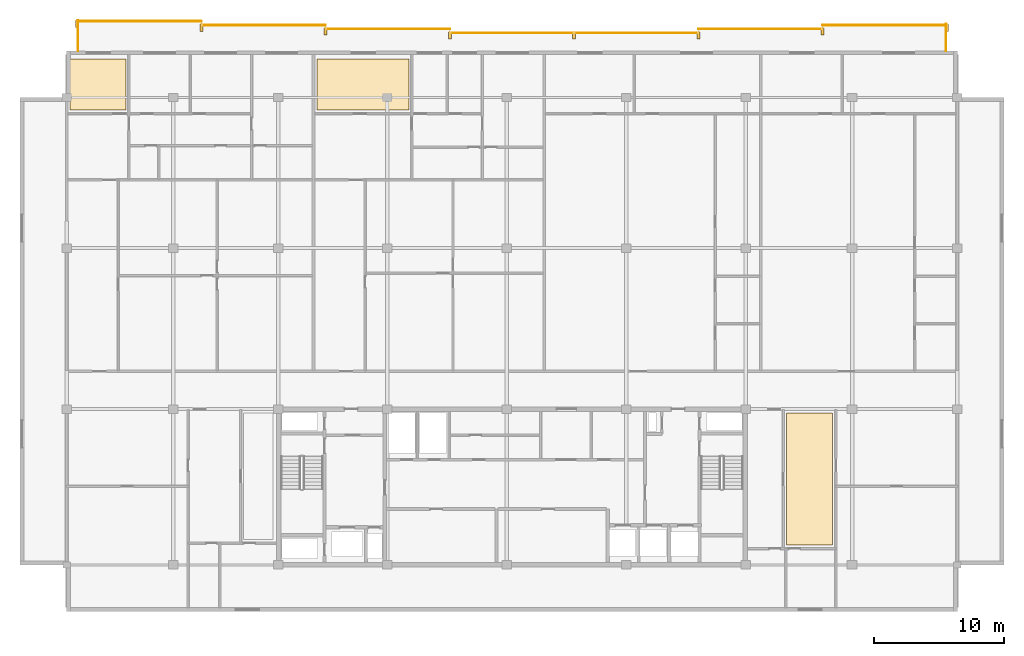
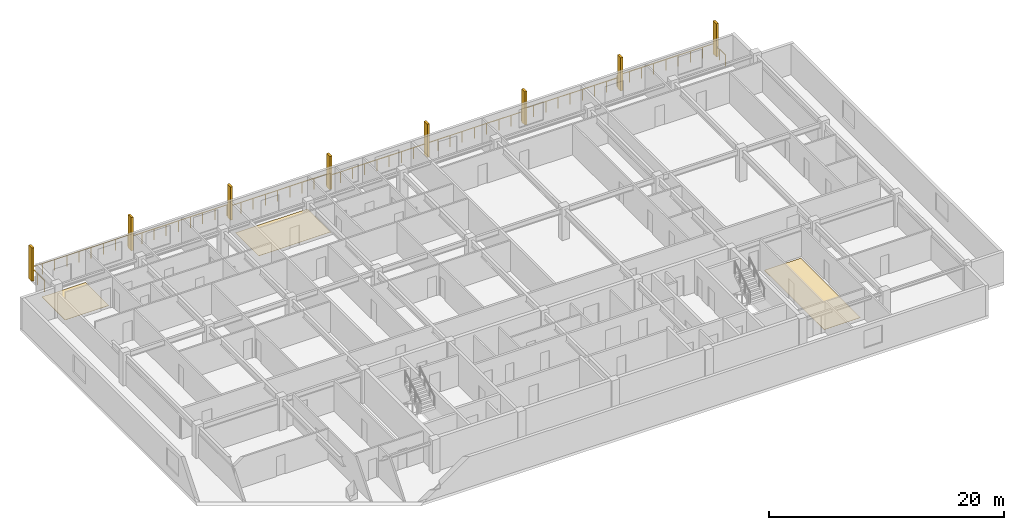
# One storey, part 11 of 11: 8 railings, 8 shading devices, 3 coverings.
"""IFC4 building model written with IfcOpenShell, lengths in metres."""

import ifcopenshell
import ifcopenshell.guid

model = None  # the IFC model being written
_history = None  # IfcOwnerHistory: only IFC2X3 demands one
_inside = {}  # id of a spatial element -> (the spatial element, [elements in it])
_under = {}  # id of a project, library or spatial element -> (it, [spatial elements below it])
_declared = {}  # id of a project -> (the project, [libraries it declares])
_typed = {}  # id of a type object -> (the type object, [elements of that type])
_made_of = {}  # id of a material, layer set ... -> (it, [elements and type objects made of it])


def new_model(schema):
    """Start an empty IFC model of exactly this schema.

    Asked for "IFC4X3", IfcOpenShell would pick the latest addendum, in which some entities
    have other attributes; the version numbers below select the first issue.
    IFC2X3 requires an IfcOwnerHistory on every rooted entity: one is made here for all.
    """
    global model, _history
    if schema == "IFC4X3":
        model = ifcopenshell.file(schema_version=(4, 3, 0, 0))
    else:
        model = ifcopenshell.file(schema=schema)
    _inside.clear()
    _under.clear()
    _declared.clear()
    _typed.clear()
    _made_of.clear()
    _history = None
    if model.schema == "IFC2X3":
        org = make("IfcOrganization", Name="unknown")
        user = make(
            "IfcPersonAndOrganization",
            ThePerson=make("IfcPerson", FamilyName="unknown"),
            TheOrganization=org,
        )
        app = make(
            "IfcApplication",
            ApplicationDeveloper=org,
            Version="unknown",
            ApplicationFullName="unknown",
            ApplicationIdentifier="unknown",
        )
        _history = make(
            "IfcOwnerHistory",
            OwningUser=user,
            OwningApplication=app,
            ChangeAction="ADDED",
            CreationDate=0,
        )
    return model


def make(cls, **values):
    """One entity of the class cls with the attributes given. An attribute that is None is left unset."""
    return model.create_entity(
        cls, **{name: value for name, value in values.items() if value is not None}
    )


def rooted(cls, **values):
    """An entity with a GlobalId (a new one), such as an element, a storey or a relation."""
    return make(cls, GlobalId=ifcopenshell.guid.new(), OwnerHistory=_history, **values)


def si_unit(unit_type, name, prefix=None):
    """IfcSIUnit, for example si_unit("LENGTHUNIT", "METRE", prefix="MILLI")."""
    return make("IfcSIUnit", UnitType=unit_type, Prefix=prefix, Name=name)


def assignment(units):
    """IfcUnitAssignment: the units of a project."""
    return None if units is None else make("IfcUnitAssignment", Units=units)


def point(xyz):
    """IfcCartesianPoint."""
    return None if xyz is None else make("IfcCartesianPoint", Coordinates=xyz)


def direction(xyz):
    """IfcDirection."""
    return None if xyz is None else make("IfcDirection", DirectionRatios=xyz)


def frame(location, z_axis=None, x_axis=None):
    """IfcAxis2Placement3D, a coordinate frame: its origin and axes. An axis left out is left unset."""
    return make(
        "IfcAxis2Placement3D",
        Location=point(location),
        Axis=direction(z_axis),
        RefDirection=direction(x_axis),
    )


def frame_2d(location, x_axis=None):
    """IfcAxis2Placement2D, a coordinate frame in the plane: its origin and x axis."""
    return make(
        "IfcAxis2Placement2D", Location=point(location), RefDirection=direction(x_axis)
    )


def origin():
    """The frame at (0, 0, 0) with its axes left unset."""
    return frame((0.0, 0.0, 0.0))


def origin_2d():
    """The frame at (0, 0) in the plane with its x axis left unset."""
    return frame_2d((0.0, 0.0))


def place(relative_to, where):
    """IfcLocalPlacement: puts the frame where relative to a parent placement (None: the world)."""
    return make(
        "IfcLocalPlacement", PlacementRelTo=relative_to, RelativePlacement=where
    )


def context(
    kind, dimensions, precision=None, world=None, true_north=None, identifier=None
):
    """IfcGeometricRepresentationContext, for example the 3D "Model" context."""
    return make(
        "IfcGeometricRepresentationContext",
        ContextIdentifier=identifier,
        ContextType=kind,
        CoordinateSpaceDimension=dimensions,
        Precision=precision,
        WorldCoordinateSystem=world,
        TrueNorth=true_north,
    )


def subcontext(parent, identifier, kind, view, scale=None):
    """IfcGeometricRepresentationSubContext, for example "Body" below "Model"."""
    return make(
        "IfcGeometricRepresentationSubContext",
        ContextIdentifier=identifier,
        ContextType=kind,
        ParentContext=parent,
        TargetScale=scale,
        TargetView=view,
    )


def project(units=None, contexts=None):
    """IfcProject with its units and contexts."""
    return rooted(
        "IfcProject",
        Name="project",
        RepresentationContexts=contexts,
        UnitsInContext=assignment(units),
    )


def spatial(cls, under=None, at=None, **own):
    """A site, building, storey or space (cls), placed at a placement, below another one or the project."""
    s = rooted(cls, ObjectPlacement=at, **own)
    if under is not None:
        _under.setdefault(under.id(), (under, []))[1].append(s)
    return s


def polyline(points):
    """IfcPolyline through the points."""
    return make("IfcPolyline", Points=[point(p) for p in points])


def profile(cls, at=None, kind="AREA", **sizes):
    """A parametric profile (cls). Its sizes go by their IFC names, for example OverallWidth=200.0."""
    return make(cls, ProfileType=kind, Position=at, **sizes)


def rectangle(**sizes):
    """IfcRectangleProfileDef."""
    return profile("IfcRectangleProfileDef", **sizes)


def circle(**sizes):
    """IfcCircleProfileDef."""
    return profile("IfcCircleProfileDef", **sizes)


def outline(outer, holes=None, kind="AREA"):
    """IfcArbitraryClosedProfileDef: a profile drawn as a closed curve; with holes, ...WithVoids."""
    if holes is None:
        return make("IfcArbitraryClosedProfileDef", ProfileType=kind, OuterCurve=outer)
    return make(
        "IfcArbitraryProfileDefWithVoids",
        ProfileType=kind,
        OuterCurve=outer,
        InnerCurves=holes,
    )


def extrude(swept, where, along, depth):
    """IfcExtrudedAreaSolid: the profile swept, set in the frame where, extruded along a direction by depth."""
    return make(
        "IfcExtrudedAreaSolid",
        SweptArea=swept,
        Position=where,
        ExtrudedDirection=direction(along),
        Depth=depth,
    )


def shape(context_of_items, identifier, shape_type, items):
    """IfcShapeRepresentation: the items that make up one representation, for example the "Body"."""
    return make(
        "IfcShapeRepresentation",
        ContextOfItems=context_of_items,
        RepresentationIdentifier=identifier,
        RepresentationType=shape_type,
        Items=items,
    )


def material(Name=None, Category=None):
    """IfcMaterial."""
    return make("IfcMaterial", Name=Name, Category=Category)


def layer(
    of_material, thickness, ventilated=None, Name=None, Category=None, Priority=None
):
    """IfcMaterialLayer: one layer of a wall or slab, of a material (None: an air gap)."""
    return make(
        "IfcMaterialLayer",
        Material=of_material,
        LayerThickness=thickness,
        IsVentilated=ventilated,
        Name=Name,
        Category=Category,
        Priority=Priority,
    )


def layer_set(layers, Name=None):
    """IfcMaterialLayerSet."""
    return make("IfcMaterialLayerSet", MaterialLayers=layers, LayerSetName=Name)


def made_of(thing, what):
    """Note that an element or type object is made of a material, layer set ...; save() writes the relation."""
    if what is not None:
        _made_of.setdefault(what.id(), (what, []))[1].append(thing)
    return thing


def type_object(cls, material=None, **own):
    """A type object (cls), such as IfcWallType, which elements share."""
    return made_of(rooted(cls, **own), material)


def element(
    cls,
    number,
    at=None,
    inside=None,
    cuts=None,
    type_object=None,
    material=None,
    context=None,
    identifier="Body",
    shape_type=None,
    held_by="IfcProductDefinitionShape",
    body=None,
    shapes=None,
    **own,
):
    """One element of the class cls, such as IfcWall. Its Tag is "e" and its number.

    at: its placement. inside: the storey or other place that contains it. cuts: it is an
    opening in that element (IfcRelVoidsElement). A single representation is given by context,
    identifier, shape_type and body (its items); several are given by shapes. held_by: the class
    of the entity that holds the representations. save() writes the other relations.
    """
    e = rooted(cls, Tag="e%d" % number, ObjectPlacement=at, **own)
    if body is not None:
        shapes = [shape(context, identifier, shape_type, body)]
    if shapes is not None:
        e.Representation = make(held_by, Representations=shapes)
    if inside is not None:
        _inside.setdefault(inside.id(), (inside, []))[1].append(e)
    if cuts is not None:
        rooted(
            "IfcRelVoidsElement", RelatingBuildingElement=cuts, RelatedOpeningElement=e
        )
    if type_object is not None:
        _typed.setdefault(type_object.id(), (type_object, []))[1].append(e)
    return made_of(e, material)


def aggregate(whole, parts):
    """IfcRelAggregates: a whole, such as a stair, and the parts it consists of."""
    return rooted("IfcRelAggregates", RelatingObject=whole, RelatedObjects=parts)


def save(model, path):
    """Write the relations noted so far, then the file.

    IfcRelAggregates (storeys below a building ...), IfcRelContainedInSpatialStructure (elements
    in a storey), IfcRelDefinesByType, IfcRelAssociatesMaterial and IfcRelDeclares: one each for
    every whole, place, type object, material and project.
    """
    for whole, parts in _under.values():
        aggregate(whole, parts)
    for where, things in _inside.values():
        rooted(
            "IfcRelContainedInSpatialStructure",
            RelatedElements=things,
            RelatingStructure=where,
        )
    for kind, things in _typed.values():
        rooted("IfcRelDefinesByType", RelatedObjects=things, RelatingType=kind)
    for what, things in _made_of.values():
        rooted("IfcRelAssociatesMaterial", RelatedObjects=things, RelatingMaterial=what)
    for by, libraries in _declared.values():
        rooted("IfcRelDeclares", RelatingContext=by, RelatedDefinitions=libraries)
    model.write(path)


model = new_model("IFC4")

# Units and contexts
model_context = context("Model", 3, precision=1e-05, world=origin(), true_north=direction((0.0, 1.0)))
body_context = subcontext(model_context, "Body", "Model", "MODEL_VIEW")
ifc_project = project(units=[si_unit("LENGTHUNIT", "METRE"), si_unit("AREAUNIT", "SQUARE_METRE"), si_unit("VOLUMEUNIT", "CUBIC_METRE"), si_unit("PLANEANGLEUNIT", "RADIAN"), si_unit("MASSUNIT", "GRAM", prefix="KILO")], contexts=[model_context])

# Site, building, storey
site_placement = place(None, origin())
site = spatial("IfcSite", under=ifc_project, at=site_placement, CompositionType="ELEMENT")
building_placement = place(site_placement, origin())
building = spatial("IfcBuilding", under=site, at=building_placement, Name="Korimba Cascade Residences", CompositionType="ELEMENT")
storey_placement = place(building_placement, frame((0.0, 0.0, 256.25)))
storey = spatial("IfcBuildingStorey", under=building, at=storey_placement, Name="L74", CompositionType="ELEMENT", Elevation=256.25)

# Coverings
ifc_material_1 = material(Name="Engineered Spotted-Gum Timber Flooring", Category="wood")
ifc_layer = layer(ifc_material_1, 0.02001953125)
ifc_layer_set = layer_set([ifc_layer], Name="Engineered Spotted-Gum Timber Flooring")
covering_type = type_object("IfcCoveringType", Name="COV-FLR-TIM", PredefinedType="FLOORING", material=ifc_layer_set)
covering_1_placement = place(storey_placement, origin())
element("IfcCovering", 1, at=covering_1_placement, inside=storey, type_object=covering_type, Name="L74 Spotted-Gum Timber Flooring L74-T1-FE-L", PredefinedType="FLOORING", context=body_context, shape_type="SweptSolid", body=[
    extrude(outline(polyline([(115.22998046875, 56.719970703125), (118.800048828125, 56.719970703125), (118.800048828125, 66.89990234375), (115.22998046875, 66.89990234375), (115.22998046875, 56.719970703125)])), origin(), (0.0, 0.0, 1.0), 0.02001953125),
])
covering_2_placement = place(storey_placement, origin())
element("IfcCovering", 2, at=covering_2_placement, inside=storey, type_object=covering_type, Name="L74 Spotted-Gum Timber Flooring L74-T1-U01-L", PredefinedType="FLOORING", context=body_context, shape_type="SweptSolid", body=[
    extrude(outline(polyline([(60.070068359375, 90.219970703125), (64.360107421875, 90.219970703125), (64.360107421875, 94.179931640625), (60.070068359375, 94.179931640625), (60.070068359375, 90.219970703125)])), origin(), (0.0, 0.0, 1.0), 0.02001953125),
])
covering_3_placement = place(storey_placement, origin())
element("IfcCovering", 3, at=covering_3_placement, inside=storey, type_object=covering_type, Name="L74 Spotted-Gum Timber Flooring L74-T1-U02-L", PredefinedType="FLOORING", context=body_context, shape_type="SweptSolid", body=[
    extrude(outline(polyline([(79.0791015625, 90.219970703125), (86.14990234375, 90.219970703125), (86.14990234375, 94.179931640625), (79.0791015625, 94.179931640625), (79.0791015625, 90.219970703125)])), origin(), (0.0, 0.0, 1.0), 0.02001953125),
])

# Railings
ifc_material_2 = material(Name="Laminated Glass and Bronze Balustrade", Category="glass")
railing_type = type_object("IfcRailingType", Name="RLG-LOG-1150", PredefinedType="BALUSTRADE", material=ifc_material_2)
railing_1_placement = place(storey_placement, frame((127.52001953125, 94.800048828125, 0.0)))
element("IfcRailing", 4, at=railing_1_placement, inside=storey, type_object=railing_type, Name="L74 Perimeter Guardrail RLG-L74-T1-LOG-01", PredefinedType="BALUSTRADE", context=body_context, shape_type="SweptSolid", body=[
    extrude(circle(Radius=0.02392578125, at=origin_2d()), frame((0.0, 0.0, 1.1259765625), z_axis=(0.0, 1.0, 0.0), x_axis=(-1.0, 0.0, 0.0)), (0.0, 0.0, 1.0), 2.050048828125),
    extrude(circle(Radius=0.02099609375, at=origin_2d()), origin(), (0.0, 0.0, 1.0), 1.101806640625),
    extrude(circle(Radius=0.02099609375, at=origin_2d()), frame((0.0, 1.02490234375, 0.0)), (0.0, 0.0, 1.0), 1.101806640625),
    extrude(circle(Radius=0.02099609375, at=origin_2d()), frame((0.0, 2.050048828125, 0.0)), (0.0, 0.0, 1.0), 1.101806640625),
])
for number, where, name in (
    (5, (127.60009765625, 96.77001953125, 0.0), "L74 Perimeter Guardrail RLG-L74-T1-LOG-02"),
    (6, (118.028564453125, 96.469970703125, 0.0), "L74 Perimeter Guardrail RLG-L74-T1-LOG-03"),
):
    element("IfcRailing", number, at=place(storey_placement, frame(where)), inside=storey, type_object=railing_type, Name=name, PredefinedType="BALUSTRADE", context=body_context, shape_type="SweptSolid", body=[
        extrude(circle(Radius=0.02392578125, at=origin_2d()), frame((0.0, 0.0, 1.1259765625), z_axis=(-1.0, 0.0, 0.0), x_axis=(0.0, -1.0, 0.0)), (0.0, 0.0, 1.0), 9.571533203125),
        extrude(circle(Radius=0.02099609375, at=origin_2d()), origin(), (0.0, 0.0, 1.0), 1.101806640625),
        extrude(circle(Radius=0.02099609375, at=origin_2d()), frame((-1.196533203125, 0.0, 0.0)), (0.0, 0.0, 1.0), 1.101806640625),
        extrude(circle(Radius=0.02099609375, at=origin_2d()), frame((-2.392822265625, 0.0, 0.0)), (0.0, 0.0, 1.0), 1.101806640625),
        extrude(circle(Radius=0.02099609375, at=origin_2d()), frame((-3.58935546875, 0.0, 0.0)), (0.0, 0.0, 1.0), 1.101806640625),
        extrude(circle(Radius=0.02099609375, at=origin_2d()), frame((-4.78564453125, 0.0, 0.0)), (0.0, 0.0, 1.0), 1.101806640625),
        extrude(circle(Radius=0.02099609375, at=origin_2d()), frame((-5.982177734375, 0.0, 0.0)), (0.0, 0.0, 1.0), 1.101806640625),
        extrude(circle(Radius=0.02099609375, at=origin_2d()), frame((-7.1787109375, 0.0, 0.0)), (0.0, 0.0, 1.0), 1.101806640625),
        extrude(circle(Radius=0.02099609375, at=origin_2d()), frame((-8.375, 0.0, 0.0)), (0.0, 0.0, 1.0), 1.101806640625),
        extrude(circle(Radius=0.02099609375, at=origin_2d()), frame((-9.571533203125, 0.0, 0.0)), (0.0, 0.0, 1.0), 1.101806640625),
    ])
railing_2_placement = place(storey_placement, frame((108.45703125, 96.169921875, 0.0)))
element("IfcRailing", 7, at=railing_2_placement, inside=storey, type_object=railing_type, Name="L74 Perimeter Guardrail RLG-L74-T1-LOG-04", PredefinedType="BALUSTRADE", context=body_context, shape_type="SweptSolid", body=[
    extrude(circle(Radius=0.02392578125, at=origin_2d()), frame((0.0, 0.0, 1.1259765625), z_axis=(-1.0, 0.0, 0.0), x_axis=(0.0, -1.0, 0.0)), (0.0, 0.0, 1.0), 19.142822265625),
    extrude(circle(Radius=0.02099609375, at=origin_2d()), origin(), (0.0, 0.0, 1.0), 1.101806640625),
    extrude(circle(Radius=0.02099609375, at=origin_2d()), frame((-1.196533203125, 0.0, 0.0)), (0.0, 0.0, 1.0), 1.101806640625),
    extrude(circle(Radius=0.02099609375, at=origin_2d()), frame((-2.392822265625, 0.0, 0.0)), (0.0, 0.0, 1.0), 1.101806640625),
    extrude(circle(Radius=0.02099609375, at=origin_2d()), frame((-3.58935546875, 0.0, 0.0)), (0.0, 0.0, 1.0), 1.101806640625),
    extrude(circle(Radius=0.02099609375, at=origin_2d()), frame((-4.78564453125, 0.0, 0.0)), (0.0, 0.0, 1.0), 1.101806640625),
    extrude(circle(Radius=0.02099609375, at=origin_2d()), frame((-5.982177734375, 0.0, 0.0)), (0.0, 0.0, 1.0), 1.101806640625),
    extrude(circle(Radius=0.02099609375, at=origin_2d()), frame((-7.178466796875, 0.0, 0.0)), (0.0, 0.0, 1.0), 1.101806640625),
    extrude(circle(Radius=0.02099609375, at=origin_2d()), frame((-8.375, 0.0, 0.0)), (0.0, 0.0, 1.0), 1.101806640625),
    extrude(circle(Radius=0.02099609375, at=origin_2d()), frame((-9.5712890625, 0.0, 0.0)), (0.0, 0.0, 1.0), 1.101806640625),
    extrude(circle(Radius=0.02099609375, at=origin_2d()), frame((-10.767822265625, 0.0, 0.0)), (0.0, 0.0, 1.0), 1.101806640625),
    extrude(circle(Radius=0.02099609375, at=origin_2d()), frame((-11.96435546875, 0.0, 0.0)), (0.0, 0.0, 1.0), 1.101806640625),
    extrude(circle(Radius=0.02099609375, at=origin_2d()), frame((-13.16064453125, 0.0, 0.0)), (0.0, 0.0, 1.0), 1.101806640625),
    extrude(circle(Radius=0.02099609375, at=origin_2d()), frame((-14.357177734375, 0.0, 0.0)), (0.0, 0.0, 1.0), 1.101806640625),
    extrude(circle(Radius=0.02099609375, at=origin_2d()), frame((-15.553466796875, 0.0, 0.0)), (0.0, 0.0, 1.0), 1.101806640625),
    extrude(circle(Radius=0.02099609375, at=origin_2d()), frame((-16.75, 0.0, 0.0)), (0.0, 0.0, 1.0), 1.101806640625),
    extrude(circle(Radius=0.02099609375, at=origin_2d()), frame((-17.9462890625, 0.0, 0.0)), (0.0, 0.0, 1.0), 1.101806640625),
    extrude(circle(Radius=0.02099609375, at=origin_2d()), frame((-19.142822265625, 0.0, 0.0)), (0.0, 0.0, 1.0), 1.101806640625),
])
railing_3_placement = place(storey_placement, frame((89.314208984375, 96.469970703125, 0.0)))
element("IfcRailing", 8, at=railing_3_placement, inside=storey, type_object=railing_type, Name="L74 Perimeter Guardrail RLG-L74-T1-LOG-05", PredefinedType="BALUSTRADE", context=body_context, shape_type="SweptSolid", body=[
    extrude(circle(Radius=0.02392578125, at=origin_2d()), frame((0.0, 0.0, 1.1259765625), z_axis=(-1.0, 0.0, 0.0), x_axis=(0.0, -1.0, 0.0)), (0.0, 0.0, 1.0), 9.5712890625),
    extrude(circle(Radius=0.02099609375, at=origin_2d()), origin(), (0.0, 0.0, 1.0), 1.101806640625),
    extrude(circle(Radius=0.02099609375, at=origin_2d()), frame((-1.1962890625, 0.0, 0.0)), (0.0, 0.0, 1.0), 1.101806640625),
    extrude(circle(Radius=0.02099609375, at=origin_2d()), frame((-2.392822265625, 0.0, 0.0)), (0.0, 0.0, 1.0), 1.101806640625),
    extrude(circle(Radius=0.02099609375, at=origin_2d()), frame((-3.58935546875, 0.0, 0.0)), (0.0, 0.0, 1.0), 1.101806640625),
    extrude(circle(Radius=0.02099609375, at=origin_2d()), frame((-4.78564453125, 0.0, 0.0)), (0.0, 0.0, 1.0), 1.101806640625),
    extrude(circle(Radius=0.02099609375, at=origin_2d()), frame((-5.98193359375, 0.0, 0.0)), (0.0, 0.0, 1.0), 1.101806640625),
    extrude(circle(Radius=0.02099609375, at=origin_2d()), frame((-7.178466796875, 0.0, 0.0)), (0.0, 0.0, 1.0), 1.101806640625),
    extrude(circle(Radius=0.02099609375, at=origin_2d()), frame((-8.375, 0.0, 0.0)), (0.0, 0.0, 1.0), 1.101806640625),
    extrude(circle(Radius=0.02099609375, at=origin_2d()), frame((-9.5712890625, 0.0, 0.0)), (0.0, 0.0, 1.0), 1.101806640625),
])
railing_4_placement = place(storey_placement, frame((79.742919921875, 96.77001953125, 0.0)))
element("IfcRailing", 9, at=railing_4_placement, inside=storey, type_object=railing_type, Name="L74 Perimeter Guardrail RLG-L74-T1-LOG-06", PredefinedType="BALUSTRADE", context=body_context, shape_type="SweptSolid", body=[
    extrude(circle(Radius=0.02392578125, at=origin_2d()), frame((0.0, 0.0, 1.1259765625), z_axis=(-1.0, 0.0, 0.0), x_axis=(0.0, -1.0, 0.0)), (0.0, 0.0, 1.0), 9.571533203125),
    extrude(circle(Radius=0.02099609375, at=origin_2d()), origin(), (0.0, 0.0, 1.0), 1.101806640625),
    extrude(circle(Radius=0.02099609375, at=origin_2d()), frame((-1.196533203125, 0.0, 0.0)), (0.0, 0.0, 1.0), 1.101806640625),
    extrude(circle(Radius=0.02099609375, at=origin_2d()), frame((-2.392822265625, 0.0, 0.0)), (0.0, 0.0, 1.0), 1.101806640625),
    extrude(circle(Radius=0.02099609375, at=origin_2d()), frame((-3.58935546875, 0.0, 0.0)), (0.0, 0.0, 1.0), 1.101806640625),
    extrude(circle(Radius=0.02099609375, at=origin_2d()), frame((-4.78564453125, 0.0, 0.0)), (0.0, 0.0, 1.0), 1.101806640625),
    extrude(circle(Radius=0.02099609375, at=origin_2d()), frame((-5.982177734375, 0.0, 0.0)), (0.0, 0.0, 1.0), 1.101806640625),
    extrude(circle(Radius=0.02099609375, at=origin_2d()), frame((-7.1787109375, 0.0, 0.0)), (0.0, 0.0, 1.0), 1.101806640625),
    extrude(circle(Radius=0.02099609375, at=origin_2d()), frame((-8.375, 0.0, 0.0)), (0.0, 0.0, 1.0), 1.101806640625),
    extrude(circle(Radius=0.02099609375, at=origin_2d()), frame((-9.571533203125, 0.0, 0.0)), (0.0, 0.0, 1.0), 1.101806640625),
])
railing_5_placement = place(storey_placement, frame((70.17138671875, 97.070068359375, 0.0)))
element("IfcRailing", 10, at=railing_5_placement, inside=storey, type_object=railing_type, Name="L74 Perimeter Guardrail RLG-L74-T1-LOG-07", PredefinedType="BALUSTRADE", context=body_context, shape_type="SweptSolid", body=[
    extrude(circle(Radius=0.02392578125, at=origin_2d()), frame((0.0, 0.0, 1.1259765625), z_axis=(-1.0, 0.0, 0.0), x_axis=(0.0, -1.0, 0.0)), (0.0, 0.0, 1.0), 9.5712890625),
    extrude(circle(Radius=0.02099609375, at=origin_2d()), origin(), (0.0, 0.0, 1.0), 1.101806640625),
    extrude(circle(Radius=0.02099609375, at=origin_2d()), frame((-1.1962890625, 0.0, 0.0)), (0.0, 0.0, 1.0), 1.101806640625),
    extrude(circle(Radius=0.02099609375, at=origin_2d()), frame((-2.392822265625, 0.0, 0.0)), (0.0, 0.0, 1.0), 1.101806640625),
    extrude(circle(Radius=0.02099609375, at=origin_2d()), frame((-3.58935546875, 0.0, 0.0)), (0.0, 0.0, 1.0), 1.101806640625),
    extrude(circle(Radius=0.02099609375, at=origin_2d()), frame((-4.78564453125, 0.0, 0.0)), (0.0, 0.0, 1.0), 1.101806640625),
    extrude(circle(Radius=0.02099609375, at=origin_2d()), frame((-5.98193359375, 0.0, 0.0)), (0.0, 0.0, 1.0), 1.101806640625),
    extrude(circle(Radius=0.02099609375, at=origin_2d()), frame((-7.178466796875, 0.0, 0.0)), (0.0, 0.0, 1.0), 1.101806640625),
    extrude(circle(Radius=0.02099609375, at=origin_2d()), frame((-8.375, 0.0, 0.0)), (0.0, 0.0, 1.0), 1.101806640625),
    extrude(circle(Radius=0.02099609375, at=origin_2d()), frame((-9.5712890625, 0.0, 0.0)), (0.0, 0.0, 1.0), 1.101806640625),
])
railing_6_placement = place(storey_placement, frame((60.679931640625, 97.14990234375, 0.0)))
element("IfcRailing", 11, at=railing_6_placement, inside=storey, type_object=railing_type, Name="L74 Perimeter Guardrail RLG-L74-T1-LOG-08", PredefinedType="BALUSTRADE", context=body_context, shape_type="SweptSolid", body=[
    extrude(circle(Radius=0.02392578125, at=origin_2d()), frame((0.0, 0.0, 1.1259765625), z_axis=(0.0, -1.0, 0.0), x_axis=(1.0, 0.0, 0.0)), (0.0, 0.0, 1.0), 2.349853515625),
    extrude(circle(Radius=0.02099609375, at=origin_2d()), origin(), (0.0, 0.0, 1.0), 1.101806640625),
    extrude(circle(Radius=0.02099609375, at=origin_2d()), frame((0.0, -1.1748046875, 0.0)), (0.0, 0.0, 1.0), 1.101806640625),
    extrude(circle(Radius=0.02099609375, at=origin_2d()), frame((0.0, -2.349853515625, 0.0)), (0.0, 0.0, 1.0), 1.101806640625),
])

# Shading devices
ifc_material_3 = material(Name="Honed Sandstone Precast Fin", Category="masonry")
shading_device_type = type_object("IfcShadingDeviceType", Name="SHD-FIN-550", PredefinedType="USERDEFINED", material=ifc_material_3)
for number, where, z_axis, x_axis, name in (
    (12, (60.60009765625, 96.875, 0.0), (0.0, 0.0, 1.0), (1.0, 0.0, 0.0), "L74 T1 Warm-Stone Loggia Fin 1"),
    (13, (70.17138671875, 96.574951171875, 0.0), (0.0, 0.0, 1.0), (1.0, 0.0, 0.0), "L74 T1 Warm-Stone Loggia Fin 2"),
    (14, (79.742919921875, 96.27490234375, 0.0), (0.0, 0.0, 1.0), (1.0, 0.0, 0.0), "L74 T1 Warm-Stone Loggia Fin 3"),
    (15, (89.314208984375, 95.97509765625, 0.0), (0.0, 0.0, 1.0), (1.0, 0.0, 0.0), "L74 T1 Warm-Stone Loggia Fin 4"),
    (16, (98.8857421875, 95.97509765625, 0.0), (0.0, 0.0, 1.0), (1.0, 0.0, 0.0), "L74 T1 Warm-Stone Loggia Fin 5"),
    (17, (108.45703125, 95.97509765625, 0.0), (0.0, 0.0, 1.0), (1.0, 0.0, 0.0), "L74 T1 Warm-Stone Loggia Fin 6"),
    (18, (118.028564453125, 96.27490234375, 0.0), (0.0, 0.0, 1.0), (1.0, 0.0, 0.0), "L74 T1 Warm-Stone Loggia Fin 7"),
    (19, (127.60009765625, 96.574951171875, 0.0), (0.0, 0.0, 1.0), (1.0, 0.0, 0.0), "L74 T1 Warm-Stone Loggia Fin 8"),
):
    element("IfcShadingDevice", number, at=place(storey_placement, frame(where, z_axis=z_axis, x_axis=x_axis)), inside=storey, type_object=shading_device_type, Name=name, ObjectType="FIN", PredefinedType="USERDEFINED", context=body_context, shape_type="SweptSolid", body=[
        extrude(rectangle(XDim=0.219970703125, YDim=0.550048828125, at=origin_2d()), origin(), (0.0, 0.0, 1.0), 3.449951171875),
    ])

save(model, "model.ifc")
